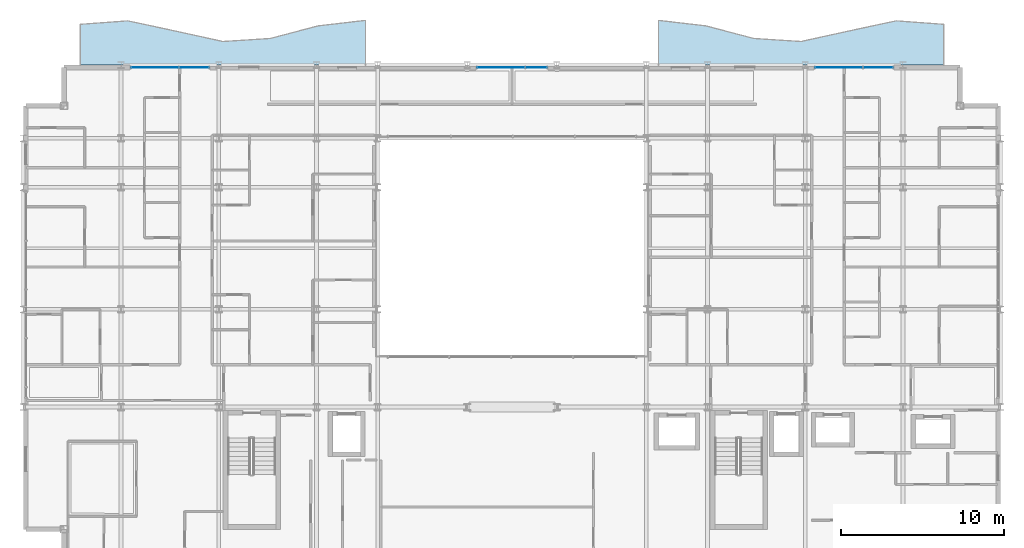
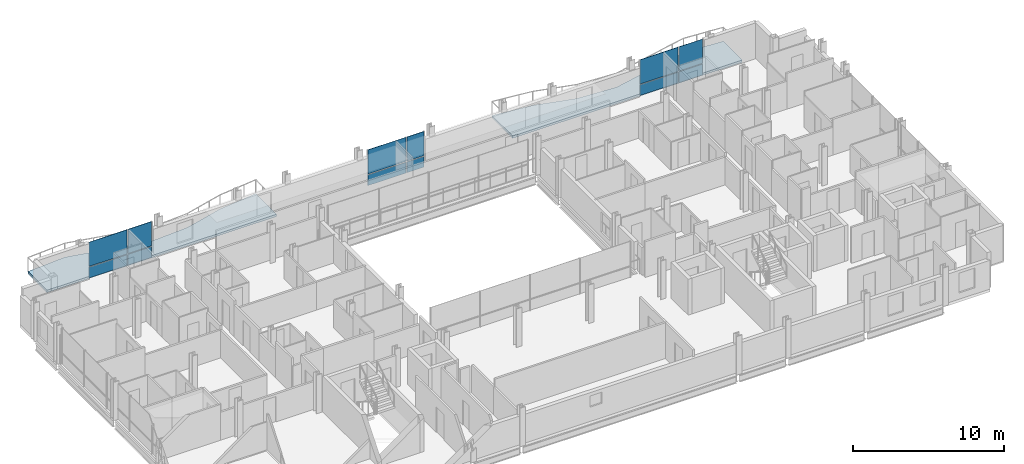
# One storey, part 29 of 41: 12 plates, 2 slabs, 3 elements without a shape of their own.
"""IFC4 building model written with IfcOpenShell, lengths in metres."""

from ifc_helpers import new_model, si_unit, direction, frame, origin, origin_2d, place, context, subcontext, project, spatial, polyline, rectangle, outline, extrude, material, layer, layer_set, type_object, element, aggregate, save


model = new_model("IFC4")

# Units and contexts
model_context = context("Model", 3, precision=1e-05, world=origin(), true_north=direction((0.0, 1.0)))
body_context = subcontext(model_context, "Body", "Model", "MODEL_VIEW")
ifc_project = project(units=[si_unit("LENGTHUNIT", "METRE"), si_unit("AREAUNIT", "SQUARE_METRE"), si_unit("VOLUMEUNIT", "CUBIC_METRE"), si_unit("PLANEANGLEUNIT", "RADIAN"), si_unit("MASSUNIT", "GRAM", prefix="KILO")], contexts=[model_context])

# Site, building, storey
site_placement = place(None, origin())
site = spatial("IfcSite", under=ifc_project, at=site_placement, CompositionType="ELEMENT")
building_placement = place(site_placement, origin())
building = spatial("IfcBuilding", under=site, at=building_placement, Name="Brevholm Reach", CompositionType="ELEMENT")
storey_placement = place(building_placement, frame((0.0, 0.0, 100.39990234375)))
storey = spatial("IfcBuildingStorey", under=building, at=storey_placement, Name="L29", CompositionType="ELEMENT", Elevation=100.39990234375)

# Curtain wall, plates
ifc_material_1 = material(Name="Dark Anodised Aluminium 6063-T6 and Solar-Control Glass", Category="aluminium")
ifc_layer_1 = layer(ifc_material_1, 0.14990234375)
ifc_layer_set_1 = layer_set([ifc_layer_1], Name="Dark Anodised Aluminium 6063-T6 and Solar-Control Glass")
curtain_wall_type = type_object("IfcCurtainWallType", Name="CW-01", PredefinedType="NOTDEFINED", material=ifc_layer_set_1)
curtain_wall_1_placement = place(storey_placement, origin())
curtain_wall_1 = element("IfcCurtainWall", 1, at=curtain_wall_1_placement, inside=storey, type_object=curtain_wall_type, Name="L29 Curtain Wall CW-01", PredefinedType="NOTDEFINED")
ifc_material_2 = material(Name="Dark Solar-Control Double-Glazed IGU Glass", Category="glass")
ifc_layer_2 = layer(ifc_material_2, 0.028076171875)
ifc_layer_set_2 = layer_set([ifc_layer_2], Name="Dark Solar-Control Double-Glazed IGU Glass")
plate_type = type_object("IfcPlateType", Name="CWP-GLZ-28", PredefinedType="CURTAIN_PANEL", material=ifc_layer_set_2)
plate_1_placement = place(storey_placement, frame((8.066162109375, 30.85009765625, 0.0), z_axis=(0.0, 0.0, 1.0), x_axis=(1.0, 0.0, 0.0)))
plate_1 = element("IfcPlate", 2, at=plate_1_placement, type_object=plate_type, Name="CP-01 Glazing Panel 1.1", PredefinedType="CURTAIN_PANEL", context=body_context, shape_type="SweptSolid", body=[
    extrude(rectangle(XDim=2.902587890625, YDim=0.028076171875, at=origin_2d()), origin(), (0.0, 0.0, 1.0), 0.867431640625),
])
plate_2_placement = place(storey_placement, frame((8.066162109375, 30.85009765625, 0.9326171875), z_axis=(0.0, 0.0, 1.0), x_axis=(1.0, 0.0, 0.0)))
plate_2 = element("IfcPlate", 3, at=plate_2_placement, type_object=plate_type, Name="CP-01 Glazing Panel 1.2", PredefinedType="CURTAIN_PANEL", context=body_context, shape_type="SweptSolid", body=[
    extrude(rectangle(XDim=2.902587890625, YDim=0.028076171875, at=origin_2d()), origin(), (0.0, 0.0, 1.0), 1.947509765625),
])
plate_3_placement = place(storey_placement, frame((10.483642578125, 30.85009765625, 0.0), z_axis=(0.0, 0.0, 1.0), x_axis=(1.0, 0.0, 0.0)))
plate_3 = element("IfcPlate", 4, at=plate_3_placement, type_object=plate_type, Name="CP-01 Glazing Panel 2.1", PredefinedType="CURTAIN_PANEL", context=body_context, shape_type="SweptSolid", body=[
    extrude(rectangle(XDim=1.802490234375, YDim=0.028076171875, at=origin_2d()), origin(), (0.0, 0.0, 1.0), 0.867431640625),
])
plate_4_placement = place(storey_placement, frame((10.483642578125, 30.85009765625, 0.9326171875), z_axis=(0.0, 0.0, 1.0), x_axis=(1.0, 0.0, 0.0)))
plate_4 = element("IfcPlate", 5, at=plate_4_placement, type_object=plate_type, Name="CP-01 Glazing Panel 2.2", PredefinedType="CURTAIN_PANEL", context=body_context, shape_type="SweptSolid", body=[
    extrude(rectangle(XDim=1.802490234375, YDim=0.028076171875, at=origin_2d()), origin(), (0.0, 0.0, 1.0), 1.947509765625),
])
aggregate(curtain_wall_1, [plate_1, plate_2, plate_3, plate_4])

curtain_wall_2_placement = place(storey_placement, origin())
curtain_wall_2 = element("IfcCurtainWall", 6, at=curtain_wall_2_placement, inside=storey, type_object=curtain_wall_type, Name="L29 Curtain Wall CW-01", PredefinedType="NOTDEFINED")
plate_5_placement = place(storey_placement, frame((29.316162109375, 30.85009765625, 0.0), z_axis=(0.0, 0.0, 1.0), x_axis=(1.0, 0.0, 0.0)))
plate_5 = element("IfcPlate", 7, at=plate_5_placement, type_object=plate_type, Name="CP-01 Glazing Panel 1.1", PredefinedType="CURTAIN_PANEL", context=body_context, shape_type="SweptSolid", body=[
    extrude(rectangle(XDim=2.902587890625, YDim=0.028076171875, at=origin_2d()), origin(), (0.0, 0.0, 1.0), 0.867431640625),
])
plate_6_placement = place(storey_placement, frame((29.316162109375, 30.85009765625, 0.9326171875), z_axis=(0.0, 0.0, 1.0), x_axis=(1.0, 0.0, 0.0)))
plate_6 = element("IfcPlate", 8, at=plate_6_placement, type_object=plate_type, Name="CP-01 Glazing Panel 1.2", PredefinedType="CURTAIN_PANEL", context=body_context, shape_type="SweptSolid", body=[
    extrude(rectangle(XDim=2.902587890625, YDim=0.028076171875, at=origin_2d()), origin(), (0.0, 0.0, 1.0), 1.947509765625),
])
plate_7_placement = place(storey_placement, frame((31.483642578125, 30.85009765625, 0.0), z_axis=(0.0, 0.0, 1.0), x_axis=(1.0, 0.0, 0.0)))
plate_7 = element("IfcPlate", 9, at=plate_7_placement, type_object=plate_type, Name="CP-01 Glazing Panel 2.1", PredefinedType="CURTAIN_PANEL", context=body_context, shape_type="SweptSolid", body=[
    extrude(rectangle(XDim=1.302490234375, YDim=0.028076171875, at=origin_2d()), origin(), (0.0, 0.0, 1.0), 0.867431640625),
])
plate_8_placement = place(storey_placement, frame((31.483642578125, 30.85009765625, 0.9326171875), z_axis=(0.0, 0.0, 1.0), x_axis=(1.0, 0.0, 0.0)))
plate_8 = element("IfcPlate", 10, at=plate_8_placement, type_object=plate_type, Name="CP-01 Glazing Panel 2.2", PredefinedType="CURTAIN_PANEL", context=body_context, shape_type="SweptSolid", body=[
    extrude(rectangle(XDim=1.302490234375, YDim=0.028076171875, at=origin_2d()), origin(), (0.0, 0.0, 1.0), 1.947509765625),
])
aggregate(curtain_wall_2, [plate_5, plate_6, plate_7, plate_8])

curtain_wall_3_placement = place(storey_placement, origin())
curtain_wall_3 = element("IfcCurtainWall", 11, at=curtain_wall_3_placement, inside=storey, type_object=curtain_wall_type, Name="L29 Curtain Wall CW-01", PredefinedType="NOTDEFINED")
plate_9_placement = place(storey_placement, frame((50.066162109375, 30.85009765625, 0.0), z_axis=(0.0, 0.0, 1.0), x_axis=(1.0, 0.0, 0.0)))
plate_9 = element("IfcPlate", 12, at=plate_9_placement, type_object=plate_type, Name="CP-01 Glazing Panel 1.1", PredefinedType="CURTAIN_PANEL", context=body_context, shape_type="SweptSolid", body=[
    extrude(rectangle(XDim=2.902587890625, YDim=0.028076171875, at=origin_2d()), origin(), (0.0, 0.0, 1.0), 0.867431640625),
])
plate_10_placement = place(storey_placement, frame((50.066162109375, 30.85009765625, 0.9326171875), z_axis=(0.0, 0.0, 1.0), x_axis=(1.0, 0.0, 0.0)))
plate_10 = element("IfcPlate", 13, at=plate_10_placement, type_object=plate_type, Name="CP-01 Glazing Panel 1.2", PredefinedType="CURTAIN_PANEL", context=body_context, shape_type="SweptSolid", body=[
    extrude(rectangle(XDim=2.902587890625, YDim=0.028076171875, at=origin_2d()), origin(), (0.0, 0.0, 1.0), 1.947509765625),
])
plate_11_placement = place(storey_placement, frame((52.483642578125, 30.85009765625, 0.0), z_axis=(0.0, 0.0, 1.0), x_axis=(1.0, 0.0, 0.0)))
plate_11 = element("IfcPlate", 14, at=plate_11_placement, type_object=plate_type, Name="CP-01 Glazing Panel 2.1", PredefinedType="CURTAIN_PANEL", context=body_context, shape_type="SweptSolid", body=[
    extrude(rectangle(XDim=1.802490234375, YDim=0.028076171875, at=origin_2d()), origin(), (0.0, 0.0, 1.0), 0.867431640625),
])
plate_12_placement = place(storey_placement, frame((52.483642578125, 30.85009765625, 0.9326171875), z_axis=(0.0, 0.0, 1.0), x_axis=(1.0, 0.0, 0.0)))
plate_12 = element("IfcPlate", 15, at=plate_12_placement, type_object=plate_type, Name="CP-01 Glazing Panel 2.2", PredefinedType="CURTAIN_PANEL", context=body_context, shape_type="SweptSolid", body=[
    extrude(rectangle(XDim=1.802490234375, YDim=0.028076171875, at=origin_2d()), origin(), (0.0, 0.0, 1.0), 1.947509765625),
])
aggregate(curtain_wall_3, [plate_9, plate_10, plate_11, plate_12])

# Slabs
ifc_material_3 = material(Name="Precast Concrete C40/50", Category="concrete")
ifc_layer_3 = layer(ifc_material_3, 0.179931640625)
ifc_layer_set_3 = layer_set([ifc_layer_3], Name="Precast Concrete C40/50")
slab_type = type_object("IfcSlabType", Name="SLB-BAL-180", PredefinedType="FLOOR", material=ifc_layer_set_3)
slab_1_placement = place(storey_placement, frame((0.0, 0.0, -0.179931640625)))
element("IfcSlab", 16, at=slab_1_placement, inside=storey, type_object=slab_type, Name="L29 Rippling External Balcony NE", PredefinedType="FLOOR", context=body_context, shape_type="SweptSolid", body=[
    extrude(outline(polyline([(39.0, 31.0), (56.5, 31.0), (56.5, 33.499755859375), (53.583251953125, 33.713134765625), (50.666748046875, 33.0869140625), (47.75, 32.44482421875), (44.833251953125, 32.632080078125), (41.916748046875, 33.402099609375), (39.0, 33.74169921875), (39.0, 31.0)])), origin(), (0.0, 0.0, 1.0), 0.179931640625),
])
slab_2_placement = place(storey_placement, frame((0.0, 0.0, -0.179931640625)))
element("IfcSlab", 17, at=slab_2_placement, inside=storey, type_object=slab_type, Name="L29 Rippling External Balcony NW", PredefinedType="FLOOR", context=body_context, shape_type="SweptSolid", body=[
    extrude(outline(polyline([(3.5, 31.0), (21.0, 31.0), (21.0, 33.74169921875), (18.083251953125, 33.402099609375), (15.166748046875, 32.632080078125), (12.25, 32.44482421875), (9.333251953125, 33.0869140625), (6.416748046875, 33.713134765625), (3.5, 33.499755859375), (3.5, 31.0)])), origin(), (0.0, 0.0, 1.0), 0.179931640625),
])

save(model, "model.ifc")
